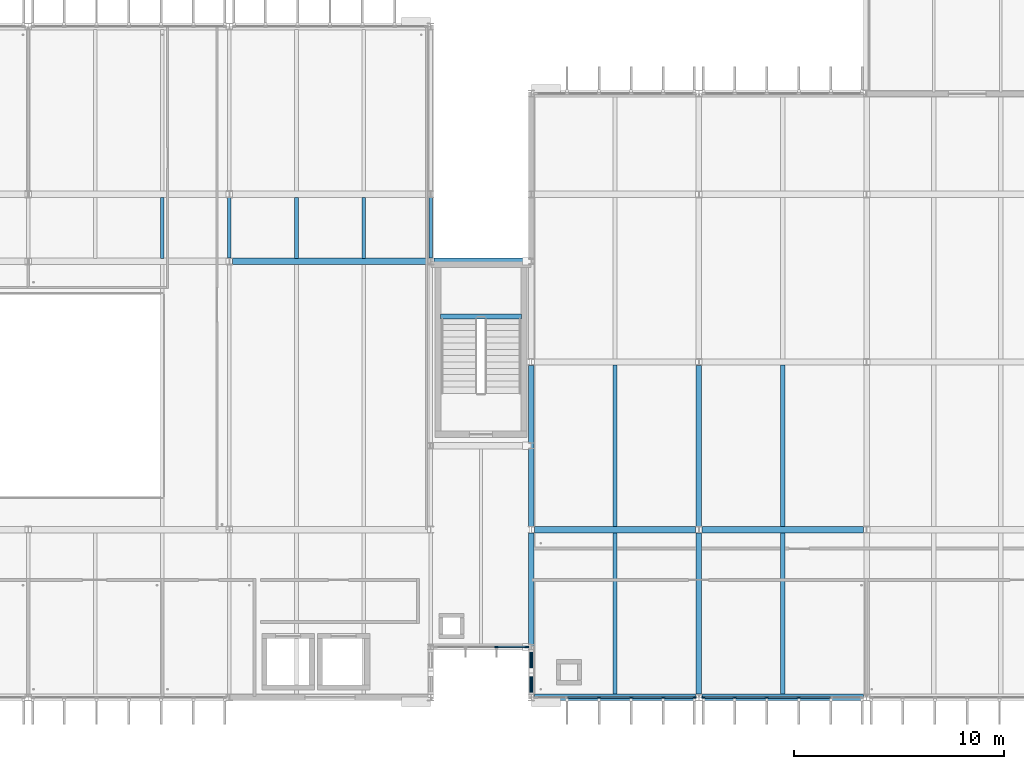
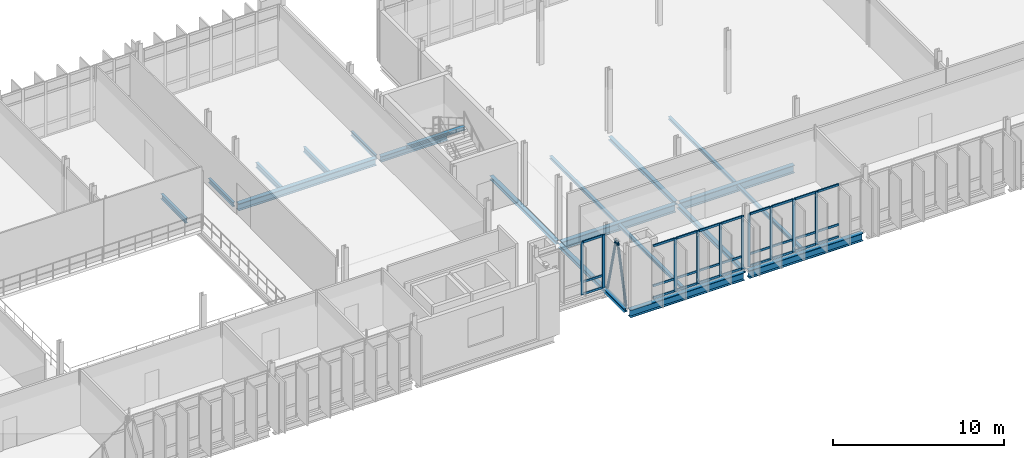
# One storey, part 32 of 110: 39 members, 20 beams, 3 elements without a shape of their own.
"""IFC4 building model written with IfcOpenShell, lengths in metres."""

from ifc_helpers import new_model, si_unit, direction, frame, origin, origin_2d, place, context, subcontext, project, spatial, rectangle, hollow_circle, i_section, extrude, material, material_profile, profile_set, type_object, element, aggregate, save


model = new_model("IFC4")

# Units and contexts
model_context = context("Model", 3, precision=1e-05, world=origin(), true_north=direction((0.0, 1.0)))
body_context = subcontext(model_context, "Body", "Model", "MODEL_VIEW")
ifc_project = project(units=[si_unit("LENGTHUNIT", "METRE"), si_unit("AREAUNIT", "SQUARE_METRE"), si_unit("VOLUMEUNIT", "CUBIC_METRE"), si_unit("PLANEANGLEUNIT", "RADIAN"), si_unit("MASSUNIT", "GRAM", prefix="KILO")], contexts=[model_context])

# Site, building, storey
site_placement = place(None, origin())
site = spatial("IfcSite", under=ifc_project, at=site_placement, CompositionType="ELEMENT")
building_placement = place(site_placement, origin())
building = spatial("IfcBuilding", under=site, at=building_placement, Name="Dunescarp Central Library", CompositionType="ELEMENT")
storey_placement = place(building_placement, frame((0.0, 0.0, 9.60009765625)))
storey = spatial("IfcBuildingStorey", under=building, at=storey_placement, Name="L02", CompositionType="ELEMENT", Elevation=9.60009765625)

# Curtain wall, members
ifc_material_1 = material(Name="Marine-grade anodised aluminium 6063-T6", Category="aluminium")
curtain_wall_type_1 = type_object("IfcCurtainWallType", Name="ARC-CW-STICK", PredefinedType="NOTDEFINED", material=ifc_material_1)
curtain_wall_1_placement = place(storey_placement, origin())
curtain_wall_1 = element("IfcCurtainWall", 1, at=curtain_wall_1_placement, inside=storey, type_object=curtain_wall_type_1, Name="L02 curtain wall CW-V3-090", PredefinedType="NOTDEFINED")
ifc_material_profile_1 = material_profile(ifc_material_1, rectangle(XDim=0.080078125, YDim=0.179931640625, at=origin_2d()), Name="AL 80x180")
ifc_profile_set_1 = profile_set([ifc_material_profile_1], Name="Marine-grade anodised aluminium 6063-T6")
member_type_1 = type_object("IfcMemberType", Name="ARC-CWM-180", PredefinedType="MULLION", material=ifc_profile_set_1)
member_1_placement = place(storey_placement, frame((89.385009765625, 4.800048828125, 0.0), z_axis=(0.0, 0.0, 1.0), x_axis=(0.0, -1.0, 0.0)))
member_1 = element("IfcMember", 2, at=member_1_placement, type_object=member_type_1, Name="CW-V3-090 mullion 1", PredefinedType="MULLION", context=body_context, shape_type="SweptSolid", body=[
    extrude(rectangle(XDim=0.080078125, YDim=0.179931640625, at=origin_2d()), origin(), (0.0, 0.0, 1.0), 3.77490234375),
])
member_2_placement = place(storey_placement, frame((87.89501953125, 4.800048828125, 0.0), z_axis=(0.0, 0.0, 1.0), x_axis=(0.0, -1.0, 0.0)))
member_2 = element("IfcMember", 3, at=member_2_placement, type_object=member_type_1, Name="CW-V3-090 mullion 2", PredefinedType="MULLION", context=body_context, shape_type="SweptSolid", body=[
    extrude(rectangle(XDim=0.080078125, YDim=0.179931640625, at=origin_2d()), origin(), (0.0, 0.0, 1.0), 3.77490234375),
])
member_3_placement = place(storey_placement, frame((86.364990234375, 4.800048828125, 0.0), z_axis=(0.0, 0.0, 1.0), x_axis=(0.0, -1.0, 0.0)))
member_3 = element("IfcMember", 4, at=member_3_placement, type_object=member_type_1, Name="CW-V3-090 mullion 3", PredefinedType="MULLION", context=body_context, shape_type="SweptSolid", body=[
    extrude(rectangle(XDim=0.080078125, YDim=0.179931640625, at=origin_2d()), origin(), (0.0, 0.0, 1.0), 3.77490234375),
])
member_4_placement = place(storey_placement, frame((84.8349609375, 4.800048828125, 0.0), z_axis=(0.0, 0.0, 1.0), x_axis=(0.0, -1.0, 0.0)))
member_4 = element("IfcMember", 5, at=member_4_placement, type_object=member_type_1, Name="CW-V3-090 mullion 4", PredefinedType="MULLION", context=body_context, shape_type="SweptSolid", body=[
    extrude(rectangle(XDim=0.080078125, YDim=0.179931640625, at=origin_2d()), origin(), (0.0, 0.0, 1.0), 3.77490234375),
])

curtain_wall_2_placement = place(storey_placement, origin())
curtain_wall_2 = element("IfcCurtainWall", 6, at=curtain_wall_2_placement, inside=storey, type_object=curtain_wall_type_1, Name="L02 curtain wall CW-V3-091", PredefinedType="NOTDEFINED")
member_5_placement = place(storey_placement, frame((94.364990234375, 4.800048828125, 0.0), z_axis=(0.0, 0.0, 1.0), x_axis=(0.0, -1.0, 0.0)))
member_5 = element("IfcMember", 7, at=member_5_placement, type_object=member_type_1, Name="CW-V3-091 mullion 3", PredefinedType="MULLION", context=body_context, shape_type="SweptSolid", body=[
    extrude(rectangle(XDim=0.080078125, YDim=0.179931640625, at=origin_2d()), origin(), (0.0, 0.0, 1.0), 3.77490234375),
])
member_6_placement = place(storey_placement, frame((92.8349609375, 4.800048828125, 0.0), z_axis=(0.0, 0.0, 1.0), x_axis=(0.0, -1.0, 0.0)))
member_6 = element("IfcMember", 8, at=member_6_placement, type_object=member_type_1, Name="CW-V3-091 mullion 4", PredefinedType="MULLION", context=body_context, shape_type="SweptSolid", body=[
    extrude(rectangle(XDim=0.080078125, YDim=0.179931640625, at=origin_2d()), origin(), (0.0, 0.0, 1.0), 3.77490234375),
])
member_7_placement = place(storey_placement, frame((91.304931640625, 4.800048828125, 0.0), z_axis=(0.0, 0.0, 1.0), x_axis=(0.0, -1.0, 0.0)))
member_7 = element("IfcMember", 9, at=member_7_placement, type_object=member_type_1, Name="CW-V3-091 mullion 5", PredefinedType="MULLION", context=body_context, shape_type="SweptSolid", body=[
    extrude(rectangle(XDim=0.080078125, YDim=0.179931640625, at=origin_2d()), origin(), (0.0, 0.0, 1.0), 3.77490234375),
])
member_8_placement = place(storey_placement, frame((89.81494140625, 4.800048828125, 0.0), z_axis=(0.0, 0.0, 1.0), x_axis=(0.0, -1.0, 0.0)))
member_8 = element("IfcMember", 10, at=member_8_placement, type_object=member_type_1, Name="CW-V3-091 mullion 6", PredefinedType="MULLION", context=body_context, shape_type="SweptSolid", body=[
    extrude(rectangle(XDim=0.080078125, YDim=0.179931640625, at=origin_2d()), origin(), (0.0, 0.0, 1.0), 3.77490234375),
])

curtain_wall_type_2 = type_object("IfcCurtainWallType", Name="ARC-CW-LINK", PredefinedType="USERDEFINED", material=ifc_material_1)
curtain_wall_3_placement = place(storey_placement, origin())
curtain_wall_3 = element("IfcCurtainWall", 11, at=curtain_wall_3_placement, inside=storey, type_object=curtain_wall_type_2, Name="L02 curtain wall CW-GL2-S-L02", ObjectType="GLAZED_LINK_WALL", PredefinedType="USERDEFINED")
member_9_placement = place(storey_placement, frame((81.385009765625, 7.199951171875, 0.0), z_axis=(0.0, 0.0, 1.0), x_axis=(0.0, -1.0, 0.0)))
member_9 = element("IfcMember", 12, at=member_9_placement, type_object=member_type_1, Name="CW-GL2-S-L02 mullion 1", PredefinedType="MULLION", context=body_context, shape_type="SweptSolid", body=[
    extrude(rectangle(XDim=0.080078125, YDim=0.179931640625, at=origin_2d()), origin(), (0.0, 0.0, 1.0), 3.77490234375),
])
member_10_placement = place(storey_placement, frame((79.941650390625, 7.199951171875, 0.0), z_axis=(0.0, 0.0, 1.0), x_axis=(0.0, -1.0, 0.0)))
member_10 = element("IfcMember", 13, at=member_10_placement, type_object=member_type_1, Name="CW-GL2-S-L02 mullion 2", PredefinedType="MULLION", context=body_context, shape_type="SweptSolid", body=[
    extrude(rectangle(XDim=0.080078125, YDim=0.179931640625, at=origin_2d()), origin(), (0.0, 0.0, 1.0), 3.77490234375),
])

# Member
ifc_material_profile_2 = material_profile(ifc_material_1, rectangle(XDim=0.080078125, YDim=0.14990234375, at=origin_2d()), Name="AL 80x150")
ifc_profile_set_2 = profile_set([ifc_material_profile_2], Name="Marine-grade anodised aluminium 6063-T6")
member_type_2 = type_object("IfcMemberType", Name="ARC-CWT-150", PredefinedType="USERDEFINED", material=ifc_profile_set_2)
member_11_placement = place(storey_placement, frame((89.344970703125, 4.800048828125, 0.039794921875), z_axis=(-1.0, 0.0, 0.0), x_axis=(0.0, -1.0, 0.0)))
member_11 = element("IfcMember", 14, at=member_11_placement, type_object=member_type_2, Name="CW-V3-090 transom 1.1", ObjectType="TRANSOM", PredefinedType="USERDEFINED", context=body_context, shape_type="SweptSolid", body=[
    extrude(rectangle(XDim=0.080078125, YDim=0.14990234375, at=origin_2d()), origin(), (0.0, 0.0, 1.0), 1.409912109375),
])

member_12_placement = place(storey_placement, frame((89.344970703125, 4.800048828125, 0.89990234375), z_axis=(-1.0, 0.0, 0.0), x_axis=(0.0, -1.0, 0.0)))
member_12 = element("IfcMember", 15, at=member_12_placement, type_object=member_type_2, Name="CW-V3-090 transom 1.2", ObjectType="TRANSOM", PredefinedType="USERDEFINED", context=body_context, shape_type="SweptSolid", body=[
    extrude(rectangle(XDim=0.080078125, YDim=0.14990234375, at=origin_2d()), origin(), (0.0, 0.0, 1.0), 1.409912109375),
])

member_13_placement = place(storey_placement, frame((89.344970703125, 4.800048828125, 3.73486328125), z_axis=(-1.0, 0.0, 0.0), x_axis=(0.0, -1.0, 0.0)))
member_13 = element("IfcMember", 16, at=member_13_placement, type_object=member_type_2, Name="CW-V3-090 transom 1.3", ObjectType="TRANSOM", PredefinedType="USERDEFINED", context=body_context, shape_type="SweptSolid", body=[
    extrude(rectangle(XDim=0.080078125, YDim=0.14990234375, at=origin_2d()), origin(), (0.0, 0.0, 1.0), 1.409912109375),
])

member_14_placement = place(storey_placement, frame((87.85498046875, 4.800048828125, 0.039794921875), z_axis=(-1.0, 0.0, 0.0), x_axis=(0.0, -1.0, 0.0)))
member_14 = element("IfcMember", 17, at=member_14_placement, type_object=member_type_2, Name="CW-V3-090 transom 2.1", ObjectType="TRANSOM", PredefinedType="USERDEFINED", context=body_context, shape_type="SweptSolid", body=[
    extrude(rectangle(XDim=0.080078125, YDim=0.14990234375, at=origin_2d()), origin(), (0.0, 0.0, 1.0), 1.449951171875),
])

member_15_placement = place(storey_placement, frame((87.85498046875, 4.800048828125, 0.89990234375), z_axis=(-1.0, 0.0, 0.0), x_axis=(0.0, -1.0, 0.0)))
member_15 = element("IfcMember", 18, at=member_15_placement, type_object=member_type_2, Name="CW-V3-090 transom 2.2", ObjectType="TRANSOM", PredefinedType="USERDEFINED", context=body_context, shape_type="SweptSolid", body=[
    extrude(rectangle(XDim=0.080078125, YDim=0.14990234375, at=origin_2d()), origin(), (0.0, 0.0, 1.0), 1.449951171875),
])

member_16_placement = place(storey_placement, frame((87.85498046875, 4.800048828125, 3.73486328125), z_axis=(-1.0, 0.0, 0.0), x_axis=(0.0, -1.0, 0.0)))
member_16 = element("IfcMember", 19, at=member_16_placement, type_object=member_type_2, Name="CW-V3-090 transom 2.3", ObjectType="TRANSOM", PredefinedType="USERDEFINED", context=body_context, shape_type="SweptSolid", body=[
    extrude(rectangle(XDim=0.080078125, YDim=0.14990234375, at=origin_2d()), origin(), (0.0, 0.0, 1.0), 1.449951171875),
])

member_17_placement = place(storey_placement, frame((86.324951171875, 4.800048828125, 0.039794921875), z_axis=(-1.0, 0.0, 0.0), x_axis=(0.0, -1.0, 0.0)))
member_17 = element("IfcMember", 20, at=member_17_placement, type_object=member_type_2, Name="CW-V3-090 transom 3.1", ObjectType="TRANSOM", PredefinedType="USERDEFINED", context=body_context, shape_type="SweptSolid", body=[
    extrude(rectangle(XDim=0.080078125, YDim=0.14990234375, at=origin_2d()), origin(), (0.0, 0.0, 1.0), 1.449951171875),
])

member_18_placement = place(storey_placement, frame((86.324951171875, 4.800048828125, 0.89990234375), z_axis=(-1.0, 0.0, 0.0), x_axis=(0.0, -1.0, 0.0)))
member_18 = element("IfcMember", 21, at=member_18_placement, type_object=member_type_2, Name="CW-V3-090 transom 3.2", ObjectType="TRANSOM", PredefinedType="USERDEFINED", context=body_context, shape_type="SweptSolid", body=[
    extrude(rectangle(XDim=0.080078125, YDim=0.14990234375, at=origin_2d()), origin(), (0.0, 0.0, 1.0), 1.449951171875),
])

member_19_placement = place(storey_placement, frame((86.324951171875, 4.800048828125, 3.73486328125), z_axis=(-1.0, 0.0, 0.0), x_axis=(0.0, -1.0, 0.0)))
member_19 = element("IfcMember", 22, at=member_19_placement, type_object=member_type_2, Name="CW-V3-090 transom 3.3", ObjectType="TRANSOM", PredefinedType="USERDEFINED", context=body_context, shape_type="SweptSolid", body=[
    extrude(rectangle(XDim=0.080078125, YDim=0.14990234375, at=origin_2d()), origin(), (0.0, 0.0, 1.0), 1.449951171875),
])

member_20_placement = place(storey_placement, frame((84.794921875, 4.800048828125, 0.039794921875), z_axis=(-1.0, 0.0, 0.0), x_axis=(0.0, -1.0, 0.0)))
member_20 = element("IfcMember", 23, at=member_20_placement, type_object=member_type_2, Name="CW-V3-090 transom 4.1", ObjectType="TRANSOM", PredefinedType="USERDEFINED", context=body_context, shape_type="SweptSolid", body=[
    extrude(rectangle(XDim=0.080078125, YDim=0.14990234375, at=origin_2d()), origin(), (0.0, 0.0, 1.0), 1.449951171875),
])

member_21_placement = place(storey_placement, frame((84.794921875, 4.800048828125, 0.89990234375), z_axis=(-1.0, 0.0, 0.0), x_axis=(0.0, -1.0, 0.0)))
member_21 = element("IfcMember", 24, at=member_21_placement, type_object=member_type_2, Name="CW-V3-090 transom 4.2", ObjectType="TRANSOM", PredefinedType="USERDEFINED", context=body_context, shape_type="SweptSolid", body=[
    extrude(rectangle(XDim=0.080078125, YDim=0.14990234375, at=origin_2d()), origin(), (0.0, 0.0, 1.0), 1.449951171875),
])

member_22_placement = place(storey_placement, frame((84.794921875, 4.800048828125, 3.73486328125), z_axis=(-1.0, 0.0, 0.0), x_axis=(0.0, -1.0, 0.0)))
member_22 = element("IfcMember", 25, at=member_22_placement, type_object=member_type_2, Name="CW-V3-090 transom 4.3", ObjectType="TRANSOM", PredefinedType="USERDEFINED", context=body_context, shape_type="SweptSolid", body=[
    extrude(rectangle(XDim=0.080078125, YDim=0.14990234375, at=origin_2d()), origin(), (0.0, 0.0, 1.0), 1.449951171875),
])

aggregate(curtain_wall_1, [member_1, member_2, member_3, member_4, member_11, member_12, member_13, member_14, member_15, member_16, member_17, member_18, member_19, member_20, member_21, member_22])

member_23_placement = place(storey_placement, frame((95.85498046875, 4.800048828125, 0.039794921875), z_axis=(-1.0, 0.0, 0.0), x_axis=(0.0, -1.0, 0.0)))
member_23 = element("IfcMember", 26, at=member_23_placement, type_object=member_type_2, Name="CW-V3-091 transom 2.1", ObjectType="TRANSOM", PredefinedType="USERDEFINED", context=body_context, shape_type="SweptSolid", body=[
    extrude(rectangle(XDim=0.080078125, YDim=0.14990234375, at=origin_2d()), origin(), (0.0, 0.0, 1.0), 1.449951171875),
])

member_24_placement = place(storey_placement, frame((95.85498046875, 4.800048828125, 0.89990234375), z_axis=(-1.0, 0.0, 0.0), x_axis=(0.0, -1.0, 0.0)))
member_24 = element("IfcMember", 27, at=member_24_placement, type_object=member_type_2, Name="CW-V3-091 transom 2.2", ObjectType="TRANSOM", PredefinedType="USERDEFINED", context=body_context, shape_type="SweptSolid", body=[
    extrude(rectangle(XDim=0.080078125, YDim=0.14990234375, at=origin_2d()), origin(), (0.0, 0.0, 1.0), 1.449951171875),
])

member_25_placement = place(storey_placement, frame((95.85498046875, 4.800048828125, 3.73486328125), z_axis=(-1.0, 0.0, 0.0), x_axis=(0.0, -1.0, 0.0)))
member_25 = element("IfcMember", 28, at=member_25_placement, type_object=member_type_2, Name="CW-V3-091 transom 2.3", ObjectType="TRANSOM", PredefinedType="USERDEFINED", context=body_context, shape_type="SweptSolid", body=[
    extrude(rectangle(XDim=0.080078125, YDim=0.14990234375, at=origin_2d()), origin(), (0.0, 0.0, 1.0), 1.449951171875),
])

member_26_placement = place(storey_placement, frame((94.324951171875, 4.800048828125, 0.039794921875), z_axis=(-1.0, 0.0, 0.0), x_axis=(0.0, -1.0, 0.0)))
member_26 = element("IfcMember", 29, at=member_26_placement, type_object=member_type_2, Name="CW-V3-091 transom 3.1", ObjectType="TRANSOM", PredefinedType="USERDEFINED", context=body_context, shape_type="SweptSolid", body=[
    extrude(rectangle(XDim=0.080078125, YDim=0.14990234375, at=origin_2d()), origin(), (0.0, 0.0, 1.0), 1.449951171875),
])

member_27_placement = place(storey_placement, frame((94.324951171875, 4.800048828125, 0.89990234375), z_axis=(-1.0, 0.0, 0.0), x_axis=(0.0, -1.0, 0.0)))
member_27 = element("IfcMember", 30, at=member_27_placement, type_object=member_type_2, Name="CW-V3-091 transom 3.2", ObjectType="TRANSOM", PredefinedType="USERDEFINED", context=body_context, shape_type="SweptSolid", body=[
    extrude(rectangle(XDim=0.080078125, YDim=0.14990234375, at=origin_2d()), origin(), (0.0, 0.0, 1.0), 1.449951171875),
])

member_28_placement = place(storey_placement, frame((94.324951171875, 4.800048828125, 3.73486328125), z_axis=(-1.0, 0.0, 0.0), x_axis=(0.0, -1.0, 0.0)))
member_28 = element("IfcMember", 31, at=member_28_placement, type_object=member_type_2, Name="CW-V3-091 transom 3.3", ObjectType="TRANSOM", PredefinedType="USERDEFINED", context=body_context, shape_type="SweptSolid", body=[
    extrude(rectangle(XDim=0.080078125, YDim=0.14990234375, at=origin_2d()), origin(), (0.0, 0.0, 1.0), 1.449951171875),
])

member_29_placement = place(storey_placement, frame((92.794921875, 4.800048828125, 0.039794921875), z_axis=(-1.0, 0.0, 0.0), x_axis=(0.0, -1.0, 0.0)))
member_29 = element("IfcMember", 32, at=member_29_placement, type_object=member_type_2, Name="CW-V3-091 transom 4.1", ObjectType="TRANSOM", PredefinedType="USERDEFINED", context=body_context, shape_type="SweptSolid", body=[
    extrude(rectangle(XDim=0.080078125, YDim=0.14990234375, at=origin_2d()), origin(), (0.0, 0.0, 1.0), 1.449951171875),
])

member_30_placement = place(storey_placement, frame((92.794921875, 4.800048828125, 0.89990234375), z_axis=(-1.0, 0.0, 0.0), x_axis=(0.0, -1.0, 0.0)))
member_30 = element("IfcMember", 33, at=member_30_placement, type_object=member_type_2, Name="CW-V3-091 transom 4.2", ObjectType="TRANSOM", PredefinedType="USERDEFINED", context=body_context, shape_type="SweptSolid", body=[
    extrude(rectangle(XDim=0.080078125, YDim=0.14990234375, at=origin_2d()), origin(), (0.0, 0.0, 1.0), 1.449951171875),
])

member_31_placement = place(storey_placement, frame((92.794921875, 4.800048828125, 3.73486328125), z_axis=(-1.0, 0.0, 0.0), x_axis=(0.0, -1.0, 0.0)))
member_31 = element("IfcMember", 34, at=member_31_placement, type_object=member_type_2, Name="CW-V3-091 transom 4.3", ObjectType="TRANSOM", PredefinedType="USERDEFINED", context=body_context, shape_type="SweptSolid", body=[
    extrude(rectangle(XDim=0.080078125, YDim=0.14990234375, at=origin_2d()), origin(), (0.0, 0.0, 1.0), 1.449951171875),
])

member_32_placement = place(storey_placement, frame((91.264892578125, 4.800048828125, 0.039794921875), z_axis=(-1.0, 0.0, 0.0), x_axis=(0.0, -1.0, 0.0)))
member_32 = element("IfcMember", 35, at=member_32_placement, type_object=member_type_2, Name="CW-V3-091 transom 5.1", ObjectType="TRANSOM", PredefinedType="USERDEFINED", context=body_context, shape_type="SweptSolid", body=[
    extrude(rectangle(XDim=0.080078125, YDim=0.14990234375, at=origin_2d()), origin(), (0.0, 0.0, 1.0), 1.409912109375),
])

member_33_placement = place(storey_placement, frame((91.264892578125, 4.800048828125, 0.89990234375), z_axis=(-1.0, 0.0, 0.0), x_axis=(0.0, -1.0, 0.0)))
member_33 = element("IfcMember", 36, at=member_33_placement, type_object=member_type_2, Name="CW-V3-091 transom 5.2", ObjectType="TRANSOM", PredefinedType="USERDEFINED", context=body_context, shape_type="SweptSolid", body=[
    extrude(rectangle(XDim=0.080078125, YDim=0.14990234375, at=origin_2d()), origin(), (0.0, 0.0, 1.0), 1.409912109375),
])

member_34_placement = place(storey_placement, frame((91.264892578125, 4.800048828125, 3.73486328125), z_axis=(-1.0, 0.0, 0.0), x_axis=(0.0, -1.0, 0.0)))
member_34 = element("IfcMember", 37, at=member_34_placement, type_object=member_type_2, Name="CW-V3-091 transom 5.3", ObjectType="TRANSOM", PredefinedType="USERDEFINED", context=body_context, shape_type="SweptSolid", body=[
    extrude(rectangle(XDim=0.080078125, YDim=0.14990234375, at=origin_2d()), origin(), (0.0, 0.0, 1.0), 1.409912109375),
])

aggregate(curtain_wall_2, [member_5, member_6, member_7, member_8, member_23, member_24, member_25, member_26, member_27, member_28, member_29, member_30, member_31, member_32, member_33, member_34])

member_35_placement = place(storey_placement, frame((81.344970703125, 7.199951171875, 0.039794921875), z_axis=(-1.0, 0.0, 0.0), x_axis=(0.0, -1.0, 0.0)))
member_35 = element("IfcMember", 38, at=member_35_placement, type_object=member_type_2, Name="CW-GL2-S-L02 transom 1.1", ObjectType="TRANSOM", PredefinedType="USERDEFINED", context=body_context, shape_type="SweptSolid", body=[
    extrude(rectangle(XDim=0.080078125, YDim=0.14990234375, at=origin_2d()), origin(), (0.0, 0.0, 1.0), 1.36328125),
])

member_36_placement = place(storey_placement, frame((81.344970703125, 7.199951171875, 0.89990234375), z_axis=(-1.0, 0.0, 0.0), x_axis=(0.0, -1.0, 0.0)))
member_36 = element("IfcMember", 39, at=member_36_placement, type_object=member_type_2, Name="CW-GL2-S-L02 transom 1.2", ObjectType="TRANSOM", PredefinedType="USERDEFINED", context=body_context, shape_type="SweptSolid", body=[
    extrude(rectangle(XDim=0.080078125, YDim=0.14990234375, at=origin_2d()), origin(), (0.0, 0.0, 1.0), 1.36328125),
])

member_37_placement = place(storey_placement, frame((81.344970703125, 7.199951171875, 3.73486328125), z_axis=(-1.0, 0.0, 0.0), x_axis=(0.0, -1.0, 0.0)))
member_37 = element("IfcMember", 40, at=member_37_placement, type_object=member_type_2, Name="CW-GL2-S-L02 transom 1.3", ObjectType="TRANSOM", PredefinedType="USERDEFINED", context=body_context, shape_type="SweptSolid", body=[
    extrude(rectangle(XDim=0.080078125, YDim=0.14990234375, at=origin_2d()), origin(), (0.0, 0.0, 1.0), 1.36328125),
])

aggregate(curtain_wall_3, [member_9, member_10, member_35, member_36, member_37])

# Beams
ifc_material_2 = material(Name="Steel S355JR", Category="steel")
ifc_material_profile_3 = material_profile(ifc_material_2, i_section(OverallWidth=0.260009765625, OverallDepth=0.25, WebThickness=0.007568359375, FlangeThickness=0.012451171875, at=origin_2d()), Name="HEA 260")
ifc_profile_set_3 = profile_set([ifc_material_profile_3], Name="Steel S355JR")
beam_type_1 = type_object("IfcBeamType", Name="STR-BM-HEA260", PredefinedType="BEAM", material=ifc_profile_set_3)
for number, where, z_axis, x_axis, name in (
    (41, (81.60009765625, 4.95703125, -0.335205078125), (0.0, 1.0, 0.0), (-1.0, 0.0, 0.0), "L02 girder BM-L02-0734"),
    (42, (89.60009765625, 4.95703125, -0.335205078125), (0.0, 1.0, 0.0), (-1.0, 0.0, 0.0), "L02 girder BM-L02-0735"),
    (43, (81.60009765625, 12.95703125, -0.335205078125), (0.0, 1.0, 0.0), (-1.0, 0.0, 0.0), "L02 girder BM-L02-0738"),
    (44, (89.60009765625, 12.95703125, -0.335205078125), (0.0, 1.0, 0.0), (-1.0, 0.0, 0.0), "L02 girder BM-L02-0739"),
):
    element("IfcBeam", number, at=place(storey_placement, frame(where, z_axis=z_axis, x_axis=x_axis)), inside=storey, type_object=beam_type_1, Name=name, PredefinedType="BEAM", context=body_context, shape_type="SweptSolid", body=[
        extrude(i_section(OverallWidth=0.260009765625, OverallDepth=0.25, WebThickness=0.007568359375, FlangeThickness=0.012451171875, at=origin_2d()), origin(), (0.0, 0.0, 1.0), 7.68603515625),
    ])
ifc_material_profile_4 = material_profile(ifc_material_2, i_section(OverallWidth=0.300048828125, OverallDepth=0.389892578125, WebThickness=0.010986328125, FlangeThickness=0.01904296875, at=origin_2d()), Name="HEA 400")
ifc_profile_set_4 = profile_set([ifc_material_profile_4], Name="Steel S355JR")
beam_type_2 = type_object("IfcBeamType", Name="STR-BM-HEA400", PredefinedType="BEAM", material=ifc_profile_set_4)
beam_1_placement = place(storey_placement, frame((76.951904296875, 25.60009765625, -0.405029296875), z_axis=(1.0, 0.0, 0.0), x_axis=(0.0, 1.0, 0.0)))
element("IfcBeam", 45, at=beam_1_placement, inside=storey, type_object=beam_type_2, Name="L02 girder BM-L02-1248", PredefinedType="BEAM", context=body_context, shape_type="SweptSolid", body=[
    extrude(i_section(OverallWidth=0.300048828125, OverallDepth=0.389892578125, WebThickness=0.010986328125, FlangeThickness=0.01904296875, at=origin_2d()), origin(), (0.0, 0.0, 1.0), 4.522216796875),
])
ifc_material_profile_5 = material_profile(ifc_material_2, i_section(OverallWidth=0.300048828125, OverallDepth=0.5, WebThickness=0.014404296875, FlangeThickness=0.028076171875, at=origin_2d()), Name="HEB 500")
ifc_profile_set_5 = profile_set([ifc_material_profile_5], Name="Steel S355JR")
beam_type_3 = type_object("IfcBeamType", Name="STR-BM-HEB500", PredefinedType="BEAM", material=ifc_profile_set_5)
beam_2_placement = place(storey_placement, frame((67.35205078125, 25.60009765625, -0.460205078125), z_axis=(1.0, 0.0, 0.0), x_axis=(0.0, 1.0, 0.0)))
element("IfcBeam", 46, at=beam_2_placement, inside=storey, type_object=beam_type_3, Name="L02 girder BM-L02-0459", PredefinedType="BEAM", context=body_context, shape_type="SweptSolid", body=[
    extrude(i_section(OverallWidth=0.300048828125, OverallDepth=0.5, WebThickness=0.014404296875, FlangeThickness=0.028076171875, at=origin_2d()), origin(), (0.0, 0.0, 1.0), 9.2958984375),
])
ifc_material_profile_6 = material_profile(ifc_material_2, i_section(OverallWidth=0.300048828125, OverallDepth=0.550048828125, WebThickness=0.014892578125, FlangeThickness=0.029052734375, at=origin_2d()), Name="HEB 550")
ifc_profile_set_6 = profile_set([ifc_material_profile_6], Name="Steel S355JR")
beam_type_4 = type_object("IfcBeamType", Name="STR-BM-HEB550", PredefinedType="BEAM", material=ifc_profile_set_6)
for number, where, z_axis, x_axis, name in (
    (47, (81.751953125, 4.800048828125, -0.485107421875), (1.0, 0.0, 0.0), (0.0, 1.0, 0.0), "L02 girder BM-L02-0732"),
    (48, (81.751953125, 12.800048828125, -0.485107421875), (1.0, 0.0, 0.0), (0.0, 1.0, 0.0), "L02 girder BM-L02-0733"),
    (49, (89.751953125, 4.800048828125, -0.485107421875), (1.0, 0.0, 0.0), (0.0, 1.0, 0.0), "L02 girder BM-L02-0749"),
    (50, (89.751953125, 12.800048828125, -0.485107421875), (1.0, 0.0, 0.0), (0.0, 1.0, 0.0), "L02 girder BM-L02-0750"),
):
    element("IfcBeam", number, at=place(storey_placement, frame(where, z_axis=z_axis, x_axis=x_axis)), inside=storey, type_object=beam_type_4, Name=name, PredefinedType="BEAM", context=body_context, shape_type="SweptSolid", body=[
        extrude(i_section(OverallWidth=0.300048828125, OverallDepth=0.550048828125, WebThickness=0.014892578125, FlangeThickness=0.029052734375, at=origin_2d()), origin(), (0.0, 0.0, 1.0), 7.696044921875),
    ])
ifc_material_profile_7 = material_profile(ifc_material_2, i_section(OverallWidth=0.1669921875, OverallDepth=0.310302734375, WebThickness=0.0078125, FlangeThickness=0.013671875, at=origin_2d()), Name="UB 305x165x54")
ifc_profile_set_7 = profile_set([ifc_material_profile_7], Name="Steel S355JR")
beam_type_5 = type_object("IfcBeamType", Name="STR-BM-UB305X54", PredefinedType="BEAM", material=ifc_profile_set_7)
for number, where, z_axis, x_axis, name in (
    (51, (67.199951171875, 25.757080078125, -0.364990234375), (0.0, 1.0, 0.0), (-1.0, 0.0, 0.0), "L02 girder BM-L02-0447"),
    (52, (76.800048828125, 25.757080078125, -0.364990234375), (0.0, 1.0, 0.0), (-1.0, 0.0, 0.0), "L02 girder BM-L02-0464"),
):
    element("IfcBeam", number, at=place(storey_placement, frame(where, z_axis=z_axis, x_axis=x_axis)), inside=storey, type_object=beam_type_5, Name=name, PredefinedType="BEAM", context=body_context, shape_type="SweptSolid", body=[
        extrude(i_section(OverallWidth=0.1669921875, OverallDepth=0.310302734375, WebThickness=0.0078125, FlangeThickness=0.013671875, at=origin_2d()), origin(), (0.0, 0.0, 1.0), 2.8818359375),
    ])

# Members
ifc_material_3 = material(Name="Steel S355J0", Category="steel")
ifc_material_profile_8 = material_profile(ifc_material_3, hollow_circle(Radius=0.084228515625, WallThickness=0.008056640625, at=origin_2d()), Name="CHS 168.3x8")
ifc_profile_set_8 = profile_set([ifc_material_profile_8], Name="Steel S355J0")
member_type_3 = type_object("IfcMemberType", Name="STR-BR-168", PredefinedType="BRACE", material=ifc_profile_set_8)
for number, where, z_axis, x_axis, name in (
    (53, (81.60009765625, 4.919921875, 0.0), (0.0, 0.241398356802, 0.970426109157), (-1.0, 0.0, 0.0), "L02 concentric brace BR-L02-037"),
    (54, (81.60009765625, 7.080078125, 0.0), (0.0, -0.241398356802, 0.970426109157), (1.0, 0.0, 0.0), "L02 concentric brace BR-L02-038"),
):
    element("IfcMember", number, at=place(storey_placement, frame(where, z_axis=z_axis, x_axis=x_axis)), inside=storey, type_object=member_type_3, Name=name, PredefinedType="BRACE", context=body_context, shape_type="SweptSolid", body=[
        extrude(hollow_circle(Radius=0.084228515625, WallThickness=0.008056640625, at=origin_2d()), origin(), (0.0, 0.0, 1.0), 4.142578125),
    ])

# Beams
ifc_material_profile_9 = material_profile(ifc_material_2, i_section(OverallWidth=0.199951171875, OverallDepth=0.18994140625, WebThickness=0.006591796875, FlangeThickness=0.010009765625, at=origin_2d()), Name="HEA 200")
ifc_profile_set_9 = profile_set([ifc_material_profile_9], Name="Steel S355JR")
beam_type_6 = type_object("IfcBeamType", Name="STR-JS-HEA200", PredefinedType="JOIST", material=ifc_profile_set_9)
for number, where, z_axis, x_axis, name in (
    (55, (85.60009765625, 4.947998046875, -0.30517578125), (0.0, 1.0, 0.0), (-1.0, 0.0, 0.0), "L02 joist JS-L02-0736"),
    (56, (85.60009765625, 12.947998046875, -0.30517578125), (0.0, 1.0, 0.0), (-1.0, 0.0, 0.0), "L02 joist JS-L02-0740"),
    (57, (93.60009765625, 4.947998046875, -0.30517578125), (0.0, 1.0, 0.0), (-1.0, 0.0, 0.0), "L02 joist JS-L02-0752"),
    (58, (93.60009765625, 12.947998046875, -0.30517578125), (0.0, 1.0, 0.0), (-1.0, 0.0, 0.0), "L02 joist JS-L02-0755"),
):
    element("IfcBeam", number, at=place(storey_placement, frame(where, z_axis=z_axis, x_axis=x_axis)), inside=storey, type_object=beam_type_6, Name=name, PredefinedType="JOIST", context=body_context, shape_type="SweptSolid", body=[
        extrude(i_section(OverallWidth=0.199951171875, OverallDepth=0.18994140625, WebThickness=0.006591796875, FlangeThickness=0.010009765625, at=origin_2d()), origin(), (0.0, 0.0, 1.0), 7.7041015625),
    ])
ifc_material_profile_10 = material_profile(ifc_material_2, i_section(OverallWidth=0.239990234375, OverallDepth=0.22998046875, WebThickness=0.007568359375, FlangeThickness=0.011962890625, at=origin_2d()), Name="HEA 240")
ifc_profile_set_10 = profile_set([ifc_material_profile_10], Name="Steel S355JR")
beam_type_7 = type_object("IfcBeamType", Name="STR-JS-HEA240", PredefinedType="JOIST", material=ifc_profile_set_10)
beam_3_placement = place(storey_placement, frame((77.260009765625, 22.97998046875, 1.934814453125), z_axis=(1.0, 0.0, 0.0), x_axis=(0.0, 1.0, 0.0)))
element("IfcBeam", 59, at=beam_3_placement, inside=storey, type_object=beam_type_7, Name="L02 ST-3 landing trimmer beam BM-ST-021", PredefinedType="BEAM", context=body_context, shape_type="SweptSolid", body=[
    extrude(i_section(OverallWidth=0.239990234375, OverallDepth=0.22998046875, WebThickness=0.007568359375, FlangeThickness=0.011962890625, at=origin_2d()), origin(), (0.0, 0.0, 1.0), 3.8798828125),
])
ifc_material_profile_11 = material_profile(ifc_material_2, i_section(OverallWidth=0.169921875, OverallDepth=0.360107421875, WebThickness=0.008056640625, FlangeThickness=0.0126953125, at=origin_2d()), Name="IPE 360")
ifc_profile_set_11 = profile_set([ifc_material_profile_11], Name="Steel S355JR")
beam_type_8 = type_object("IfcBeamType", Name="STR-JS-IPE360", PredefinedType="JOIST", material=ifc_profile_set_11)
for number, where, z_axis, x_axis, name in (
    (60, (64.0, 25.748046875, -0.39013671875), (0.0, 1.0, 0.0), (-1.0, 0.0, 0.0), "L02 joist JS-L02-0449"),
    (61, (70.39990234375, 25.748046875, -0.39013671875), (0.0, 1.0, 0.0), (-1.0, 0.0, 0.0), "L02 joist JS-L02-0465"),
    (62, (73.60009765625, 25.748046875, -0.39013671875), (0.0, 1.0, 0.0), (-1.0, 0.0, 0.0), "L02 joist JS-L02-0466"),
):
    element("IfcBeam", number, at=place(storey_placement, frame(where, z_axis=z_axis, x_axis=x_axis)), inside=storey, type_object=beam_type_8, Name=name, PredefinedType="JOIST", context=body_context, shape_type="SweptSolid", body=[
        extrude(i_section(OverallWidth=0.169921875, OverallDepth=0.360107421875, WebThickness=0.008056640625, FlangeThickness=0.0126953125, at=origin_2d()), origin(), (0.0, 0.0, 1.0), 2.904052734375),
    ])

save(model, "model.ifc")
